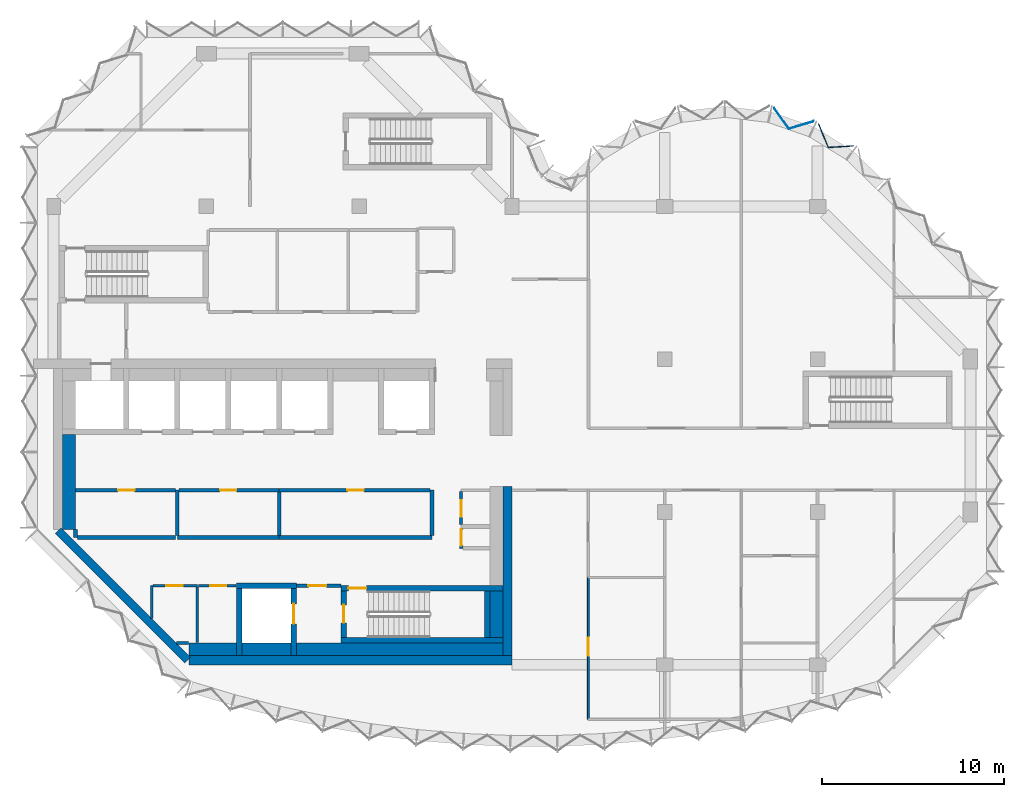
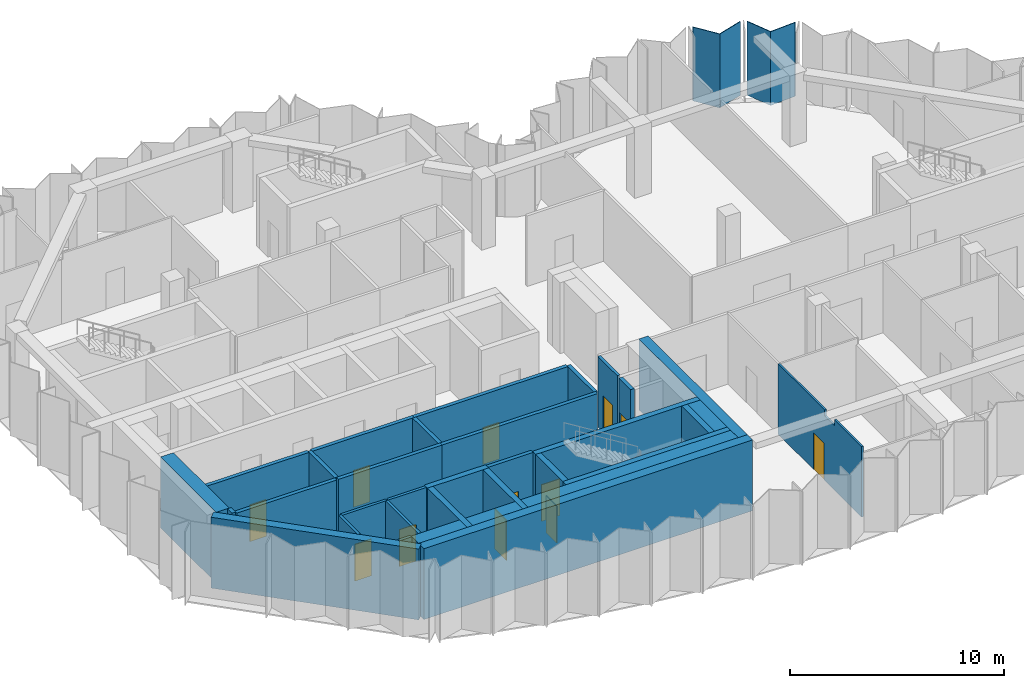
# One storey, part 4 of 10: 34 walls, 12 doors, 2 plates, 12 openings, 1 element without a shape of its own.
"""IFC4 building model written with IfcOpenShell, lengths in metres."""

from ifc_helpers import new_model, si_unit, direction, frame, frame_2d, origin, place, context, subcontext, project, spatial, polyline, rectangle, outline, extrude, material, layer, layer_set, type_object, element, fill, aggregate, save


model = new_model("IFC4")

# Units and contexts
model_context = context("Model", 3, precision=1e-05, world=origin(), true_north=direction((0.0, 1.0)))
body_context = subcontext(model_context, "Body", "Model", "MODEL_VIEW")
ifc_project = project(units=[si_unit("LENGTHUNIT", "METRE"), si_unit("AREAUNIT", "SQUARE_METRE"), si_unit("VOLUMEUNIT", "CUBIC_METRE"), si_unit("PLANEANGLEUNIT", "RADIAN"), si_unit("MASSUNIT", "GRAM", prefix="KILO")], contexts=[model_context])

# Site, building, storey
site_placement = place(None, origin())
site = spatial("IfcSite", under=ifc_project, at=site_placement, CompositionType="ELEMENT")
building_placement = place(site_placement, origin())
building = spatial("IfcBuilding", under=site, at=building_placement, Name="Brevane Broadcast Tower", CompositionType="ELEMENT")
storey_placement = place(building_placement, frame((0.0, 0.0, 251.699951171875)))
storey = spatial("IfcBuildingStorey", under=building, at=storey_placement, Name="L64", CompositionType="ELEMENT", Elevation=251.699951171875)

# Curtain wall, plates
ifc_material_1 = material(Name="Aluminium 6063-T6 bronze anodised", Category="aluminium")
curtain_wall_type = type_object("IfcCurtainWallType", Name="CW-5 curtain wall", PredefinedType="NOTDEFINED", material=ifc_material_1)
curtain_wall_placement = place(storey_placement, origin())
curtain_wall = element("IfcCurtainWall", 1, at=curtain_wall_placement, inside=storey, type_object=curtain_wall_type, Name="CW-5 crown glazing unit L64 east bow", PredefinedType="NOTDEFINED")
ifc_material_2 = material(Name="Laminated glass bronze-tinted", Category="glass")
ifc_layer_1 = layer(ifc_material_2, 0.0400390625)
ifc_layer_set_1 = layer_set([ifc_layer_1], Name="CW tall glass panel 40")
plate_type = type_object("IfcPlateType", Name="CW tall glass panel 40", PredefinedType="CURTAIN_PANEL", material=ifc_layer_set_1)
plate_1_placement = place(storey_placement, frame((0.0, 0.0, -0.169921875)))
plate_1 = element("IfcPlate", 2, at=plate_1_placement, type_object=plate_type, Name="CW-5 glass panel", PredefinedType="CURTAIN_PANEL", context=body_context, shape_type="SweptSolid", body=[
    extrude(outline(polyline([(43.95458984375, 28.506103515625), (43.987548828125, 28.548095703125), (42.601318359375, 28.462890625), (42.065673828125, 29.763916015625), (42.04248046875, 29.715087890625), (42.5751953125, 28.42138671875), (43.95458984375, 28.506103515625)])), origin(), (0.0, 0.0, 1.0), 4.219970703125),
])
plate_2_placement = place(storey_placement, frame((0.0, 0.0, -0.169921875)))
plate_2 = element("IfcPlate", 3, at=plate_2_placement, type_object=plate_type, Name="CW-5 glass panel", PredefinedType="CURTAIN_PANEL", context=body_context, shape_type="SweptSolid", body=[
    extrude(outline(polyline([(41.760009765625, 29.849853515625), (41.783203125, 29.8984375), (40.435546875, 29.494384765625), (39.6279296875, 30.624267578125), (39.615966796875, 30.572265625), (40.419677734375, 29.44775390625), (41.760009765625, 29.849853515625)])), origin(), (0.0, 0.0, 1.0), 4.219970703125),
])
aggregate(curtain_wall, [plate_1, plate_2])

# Walls
ifc_material_3 = material(Name="Concrete C32/40", Category="concrete")
ifc_layer_2 = layer(ifc_material_3, 0.699951171875)
ifc_layer_set_2 = layer_set([ifc_layer_2], Name="Core chase wall 700 mm")
wall_type_1 = type_object("IfcWallType", Name="Core chase wall 700 mm", PredefinedType="PARTITIONING", material=ifc_layer_set_2)
wall_1_placement = place(storey_placement, frame((0.85009765625, 7.436279296875, 0.0), z_axis=(0.0, 0.0, 1.0), x_axis=(0.0, 1.0, 0.0)))
element("IfcWall", 4, at=wall_1_placement, inside=storey, type_object=wall_type_1, Name="L64 chase wall LW-1", PredefinedType="PARTITIONING", context=body_context, shape_type="SweptSolid", body=[
    extrude(rectangle(XDim=5.213623046875, YDim=0.699951171875, at=frame_2d((2.60693359375, 0.0))), origin(), (0.0, 0.0, 1.0), 4.050048828125),
])
wall_2_placement = place(storey_placement, frame((7.436279296875, 0.85009765625, 0.0), z_axis=(0.0, 0.0, 1.0), x_axis=(1.0, 0.0, 0.0)))
element("IfcWall", 5, at=wall_2_placement, inside=storey, type_object=wall_type_1, Name="L64 chase wall LS-1", PredefinedType="PARTITIONING", context=body_context, shape_type="SweptSolid", body=[
    extrude(rectangle(XDim=2.61376953125, YDim=0.699951171875, at=frame_2d((1.306884765625, 0.0))), origin(), (0.0, 0.0, 1.0), 4.050048828125),
])
wall_3_placement = place(storey_placement, frame((10.35009765625, 0.85009765625, 0.0), z_axis=(0.0, 0.0, 1.0), x_axis=(1.0, 0.0, 0.0)))
element("IfcWall", 6, at=wall_3_placement, inside=storey, type_object=wall_type_1, Name="L64 chase wall LS-2-1", PredefinedType="PARTITIONING", context=body_context, shape_type="SweptSolid", body=[
    extrude(rectangle(XDim=2.699951171875, YDim=0.699951171875, at=frame_2d((1.35009765625, 0.0))), origin(), (0.0, 0.0, 1.0), 4.050048828125),
])
wall_4_placement = place(storey_placement, frame((13.35009765625, 0.85009765625, 0.0), z_axis=(0.0, 0.0, 1.0), x_axis=(1.0, 0.0, 0.0)))
element("IfcWall", 7, at=wall_4_placement, inside=storey, type_object=wall_type_1, Name="L64 chase wall LS-2-2", PredefinedType="PARTITIONING", context=body_context, shape_type="SweptSolid", body=[
    extrude(rectangle(XDim=11.349853515625, YDim=0.699951171875, at=frame_2d((5.6748046875, 0.0))), origin(), (0.0, 0.0, 1.0), 4.050048828125),
])
wall_5_placement = place(storey_placement, frame((24.35009765625, 1.5, 0.0), z_axis=(0.0, 0.0, 1.0), x_axis=(0.0, 1.0, 0.0)))
element("IfcWall", 8, at=wall_5_placement, inside=storey, type_object=wall_type_1, Name="L64 chase wall LE1-2-1", PredefinedType="PARTITIONING", context=body_context, shape_type="SweptSolid", body=[
    extrude(rectangle(XDim=2.550048828125, YDim=0.699951171875, at=frame_2d((1.27490234375, 0.0))), origin(), (0.0, 0.0, 1.0), 4.050048828125),
])
ifc_material_4 = material(Name="Gypsum board on steel studs", Category="steel")
ifc_layer_3 = layer(ifc_material_4, 0.14990234375)
ifc_layer_set_3 = layer_set([ifc_layer_3], Name="Core fire partition 150 mm")
wall_type_2 = type_object("IfcWallType", Name="Core fire partition 150 mm", PredefinedType="PARTITIONING", material=ifc_layer_set_3)
wall_6_placement = place(storey_placement, frame((5.39990234375, 2.553466796875, 0.0), z_axis=(0.0, 0.0, 1.0), x_axis=(0.0, 1.0, 0.0)))
element("IfcWall", 9, at=wall_6_placement, inside=storey, type_object=wall_type_2, Name="L64 partition wall P17", PredefinedType="PARTITIONING", context=body_context, shape_type="SweptSolid", body=[
    extrude(rectangle(XDim=1.796630859375, YDim=0.14990234375, at=frame_2d((0.8984375, 0.0))), origin(), (0.0, 0.0, 1.0), 4.050048828125),
])

# Wall, opening, door
wall_7_placement = place(storey_placement, frame((5.47509765625, 4.35009765625, 0.0), z_axis=(0.0, 0.0, 1.0), x_axis=(1.0, 0.0, 0.0)))
wall_7 = element("IfcWall", 10, at=wall_7_placement, inside=storey, type_object=wall_type_2, Name="L64 partition wall P18", PredefinedType="PARTITIONING", context=body_context, shape_type="SweptSolid", body=[
    extrude(rectangle(XDim=2.4248046875, YDim=0.14990234375, at=frame_2d((1.21240234375, 0.0))), origin(), (0.0, 0.0, 1.0), 4.050048828125),
])
opening_1_placement = place(wall_7_placement, frame((0.72509765625, 0.0, 0.0)))
opening_1 = element("IfcOpeningElement", 11, at=opening_1_placement, cuts=wall_7, Name="Opening L64-K14", PredefinedType="OPENING", context=body_context, shape_type="SweptSolid", body=[
    extrude(rectangle(XDim=0.89990234375, YDim=2.10009765625, at=frame_2d((0.449951171875, 1.050048828125))), frame((0.0, 0.0849609375, 0.0), z_axis=(0.0, -1.0, 0.0), x_axis=(1.0, 0.0, 0.0)), (0.0, 0.0, 1.0), 0.169921875),
])
ifc_material_5 = material(Name="Timber", Category="wood")
door_type_1 = type_object("IfcDoorType", Name="Toilet door 900 x 2100", OperationType="SINGLE_SWING_LEFT", PredefinedType="DOOR", material=ifc_material_5)
door_1_placement = place(opening_1_placement, origin())
door_1 = element("IfcDoor", 12, at=door_1_placement, inside=storey, type_object=door_type_1, Name="Door L64-K14", OperationType="SINGLE_SWING_RIGHT", OverallHeight=2.10009765625, OverallWidth=0.89990234375, PredefinedType="DOOR", context=body_context, shape_type="SweptSolid", body=[
    extrude(rectangle(XDim=0.89990234375, YDim=2.10009765625, at=frame_2d((0.449951171875, 1.050048828125))), frame((0.0, 0.02490234375, 0.0), z_axis=(0.0, -1.0, 0.0), x_axis=(1.0, 0.0, 0.0)), (0.0, 0.0, 1.0), 0.050048828125),
])
fill(opening_1, door_1)

# Walls
wall_8_placement = place(storey_placement, frame((7.89990234375, 4.27490234375, 0.0), z_axis=(0.0, 0.0, 1.0), x_axis=(0.0, -1.0, 0.0)))
element("IfcWall", 13, at=wall_8_placement, inside=storey, type_object=wall_type_2, Name="L64 partition wall P19", PredefinedType="PARTITIONING", context=body_context, shape_type="SweptSolid", body=[
    extrude(rectangle(XDim=3.06298828125, YDim=0.14990234375, at=frame_2d((1.531494140625, 0.0))), origin(), (0.0, 0.0, 1.0), 4.050048828125),
])
wall_9_placement = place(storey_placement, frame((7.42431640625, 1.199951171875, 0.0), z_axis=(0.0, 0.0, 1.0), x_axis=(-1.0, 0.0, 0.0)))
element("IfcWall", 14, at=wall_9_placement, inside=storey, type_object=wall_type_2, Name="L64 partition wall P20", PredefinedType="PARTITIONING", context=body_context, shape_type="SweptSolid", body=[
    extrude(rectangle(XDim=0.6708984375, YDim=0.14990234375, at=frame_2d((0.33544921875, 0.0))), origin(), (0.0, 0.0, 1.0), 4.050048828125),
])

# Wall, opening, door
wall_10_placement = place(storey_placement, frame((10.0380859375, 4.35009765625, 0.0), z_axis=(0.0, 0.0, 1.0), x_axis=(-1.0, 0.0, 0.0)))
wall_10 = element("IfcWall", 15, at=wall_10_placement, inside=storey, type_object=wall_type_2, Name="L64 partition wall P21", PredefinedType="PARTITIONING", context=body_context, shape_type="SweptSolid", body=[
    extrude(rectangle(XDim=2.06298828125, YDim=0.14990234375, at=frame_2d((1.031494140625, 0.0))), origin(), (0.0, 0.0, 1.0), 4.050048828125),
])
opening_2_placement = place(wall_10_placement, frame((0.5380859375, 0.0, 0.0)))
opening_2 = element("IfcOpeningElement", 16, at=opening_2_placement, cuts=wall_10, Name="Opening L64-K15", PredefinedType="OPENING", context=body_context, shape_type="SweptSolid", body=[
    extrude(rectangle(XDim=0.89990234375, YDim=2.10009765625, at=frame_2d((0.449951171875, 1.050048828125))), frame((0.0, 0.0849609375, 0.0), z_axis=(0.0, -1.0, 0.0), x_axis=(1.0, 0.0, 0.0)), (0.0, 0.0, 1.0), 0.169921875),
])
door_2_placement = place(opening_2_placement, origin())
door_2 = element("IfcDoor", 17, at=door_2_placement, inside=storey, type_object=door_type_1, Name="Door L64-K15", OperationType="SINGLE_SWING_LEFT", OverallHeight=2.10009765625, OverallWidth=0.89990234375, PredefinedType="DOOR", context=body_context, shape_type="SweptSolid", body=[
    extrude(rectangle(XDim=0.89990234375, YDim=2.10009765625, at=frame_2d((0.449951171875, 1.050048828125))), frame((0.0, 0.02490234375, 0.0), z_axis=(0.0, -1.0, 0.0), x_axis=(1.0, 0.0, 0.0)), (0.0, 0.0, 1.0), 0.050048828125),
])
fill(opening_2, door_2)

wall_11_placement = place(storey_placement, frame((22.39990234375, 9.52490234375, 0.0), z_axis=(0.0, 0.0, 1.0), x_axis=(0.0, -1.0, 0.0)))
wall_11 = element("IfcWall", 18, at=wall_11_placement, inside=storey, type_object=wall_type_2, Name="L64 partition wall P39", PredefinedType="PARTITIONING", context=body_context, shape_type="SweptSolid", body=[
    extrude(rectangle(XDim=1.824951171875, YDim=0.14990234375, at=frame_2d((0.91259765625, 0.0))), origin(), (0.0, 0.0, 1.0), 4.050048828125),
])
opening_3_placement = place(wall_11_placement, frame((0.47509765625, 0.0, 0.0)))
opening_3 = element("IfcOpeningElement", 19, at=opening_3_placement, cuts=wall_11, Name="Opening L64-K18", PredefinedType="OPENING", context=body_context, shape_type="SweptSolid", body=[
    extrude(rectangle(XDim=0.89990234375, YDim=2.10009765625, at=frame_2d((0.449951171875, 1.050048828125))), frame((0.0, 0.0849609375, 0.0), z_axis=(0.0, -1.0, 0.0), x_axis=(1.0, 0.0, 0.0)), (0.0, 0.0, 1.0), 0.169921875),
])
ifc_material_6 = material(Name="Steel", Category="steel")
door_type_2 = type_object("IfcDoorType", Name="Service room door 900 x 2100", OperationType="SINGLE_SWING_LEFT", PredefinedType="DOOR", material=ifc_material_6)
door_3_placement = place(opening_3_placement, origin())
door_3 = element("IfcDoor", 20, at=door_3_placement, inside=storey, type_object=door_type_2, Name="Door L64-K18", OperationType="SINGLE_SWING_RIGHT", OverallHeight=2.10009765625, OverallWidth=0.89990234375, PredefinedType="DOOR", context=body_context, shape_type="SweptSolid", body=[
    extrude(rectangle(XDim=0.89990234375, YDim=2.10009765625, at=frame_2d((0.449951171875, 1.050048828125))), frame((0.0, 0.02490234375, 0.0), z_axis=(0.0, -1.0, 0.0), x_axis=(1.0, 0.0, 0.0)), (0.0, 0.0, 1.0), 0.050048828125),
])
fill(opening_3, door_3)

ifc_layer_4 = layer(ifc_material_4, 0.199951171875)
ifc_layer_set_4 = layer_set([ifc_layer_4], Name="Core fire partition 200 mm")
wall_type_3 = type_object("IfcWallType", Name="Core fire partition 200 mm", PredefinedType="PARTITIONING", material=ifc_layer_set_4)
wall_12_placement = place(storey_placement, frame((13.362060546875, 4.35009765625, 0.0), z_axis=(0.0, 0.0, 1.0), x_axis=(1.0, 0.0, 0.0)))
wall_12 = element("IfcWall", 21, at=wall_12_placement, inside=storey, type_object=wall_type_3, Name="L64 partition wall P03", PredefinedType="PARTITIONING", context=body_context, shape_type="SweptSolid", body=[
    extrude(rectangle(XDim=2.426025390625, YDim=0.199951171875, at=frame_2d((1.212890625, 0.0))), origin(), (0.0, 0.0, 1.0), 4.050048828125),
])
opening_4_placement = place(wall_12_placement, frame((0.637939453125, 0.0, 0.0)))
opening_4 = element("IfcOpeningElement", 22, at=opening_4_placement, cuts=wall_12, Name="Opening L64-K16", PredefinedType="OPENING", context=body_context, shape_type="SweptSolid", body=[
    extrude(rectangle(XDim=1.0, YDim=2.10009765625, at=frame_2d((0.5, 1.050048828125))), frame((0.0, 0.10986328125, 0.0), z_axis=(0.0, -1.0, 0.0), x_axis=(1.0, 0.0, 0.0)), (0.0, 0.0, 1.0), 0.219970703125),
])
door_type_3 = type_object("IfcDoorType", Name="Stair door 1000 x 2100", OperationType="SINGLE_SWING_LEFT", PredefinedType="DOOR", material=ifc_material_6)
door_4_placement = place(opening_4_placement, origin())
door_4 = element("IfcDoor", 23, at=door_4_placement, inside=storey, type_object=door_type_3, Name="Door L64-K16", OperationType="SINGLE_SWING_RIGHT", OverallHeight=2.10009765625, OverallWidth=1.0, PredefinedType="DOOR", context=body_context, shape_type="SweptSolid", body=[
    extrude(rectangle(XDim=1.0, YDim=2.10009765625, at=frame_2d((0.5, 1.050048828125))), frame((0.0, 0.02490234375, 0.0), z_axis=(0.0, -1.0, 0.0), x_axis=(1.0, 0.0, 0.0)), (0.0, 0.0, 1.0), 0.050048828125),
])
fill(opening_4, door_4)

# Walls
wall_13_placement = place(storey_placement, frame((6.800048828125, 7.0, 0.0), z_axis=(0.0, 0.0, 1.0), x_axis=(1.0, 0.0, 0.0)))
element("IfcWall", 24, at=wall_13_placement, inside=storey, type_object=wall_type_3, Name="L64 partition wall P04", PredefinedType="PARTITIONING", context=body_context, shape_type="SweptSolid", body=[
    extrude(rectangle(XDim=5.599853515625, YDim=0.199951171875, at=frame_2d((2.7998046875, 0.0))), origin(), (0.0, 0.0, 1.0), 4.050048828125),
])
wall_14_placement = place(storey_placement, frame((6.800048828125, 9.60009765625, 0.0), z_axis=(0.0, 0.0, 1.0), x_axis=(0.0, -1.0, 0.0)))
element("IfcWall", 25, at=wall_14_placement, inside=storey, type_object=wall_type_3, Name="L64 partition wall P05", PredefinedType="PARTITIONING", context=body_context, shape_type="SweptSolid", body=[
    extrude(rectangle(XDim=2.5, YDim=0.199951171875, at=frame_2d((1.25, 0.0))), origin(), (0.0, 0.0, 1.0), 4.050048828125),
])

# Wall, opening, door
wall_15_placement = place(storey_placement, frame((6.699951171875, 9.60009765625, 0.0), z_axis=(0.0, 0.0, 1.0), x_axis=(-1.0, 0.0, 0.0)))
wall_15 = element("IfcWall", 26, at=wall_15_placement, inside=storey, type_object=wall_type_3, Name="L64 partition wall P06", PredefinedType="PARTITIONING", context=body_context, shape_type="SweptSolid", body=[
    extrude(rectangle(XDim=5.488037109375, YDim=0.199951171875, at=frame_2d((2.744140625, 0.0))), origin(), (0.0, 0.0, 1.0), 4.050048828125),
])
opening_5_placement = place(wall_15_placement, frame((2.25, 0.0, 0.0)))
opening_5 = element("IfcOpeningElement", 27, at=opening_5_placement, cuts=wall_15, Name="Opening L64-K19", PredefinedType="OPENING", context=body_context, shape_type="SweptSolid", body=[
    extrude(rectangle(XDim=0.89990234375, YDim=2.10009765625, at=frame_2d((0.449951171875, 1.050048828125))), frame((0.0, 0.10986328125, 0.0), z_axis=(0.0, -1.0, 0.0), x_axis=(1.0, 0.0, 0.0)), (0.0, 0.0, 1.0), 0.219970703125),
])
door_5_placement = place(opening_5_placement, origin())
door_5 = element("IfcDoor", 28, at=door_5_placement, inside=storey, type_object=door_type_2, Name="Door L64-K19", OperationType="SINGLE_SWING_LEFT", OverallHeight=2.10009765625, OverallWidth=0.89990234375, PredefinedType="DOOR", context=body_context, shape_type="SweptSolid", body=[
    extrude(rectangle(XDim=0.89990234375, YDim=2.10009765625, at=frame_2d((0.449951171875, 1.050048828125))), frame((0.0, 0.02490234375, 0.0), z_axis=(0.0, -1.0, 0.0), x_axis=(1.0, 0.0, 0.0)), (0.0, 0.0, 1.0), 0.050048828125),
])
fill(opening_5, door_5)

# Walls
wall_16_placement = place(storey_placement, frame((1.199951171875, 7.42431640625, 0.0), z_axis=(0.0, 0.0, 1.0), x_axis=(0.0, -1.0, 0.0)))
element("IfcWall", 29, at=wall_16_placement, inside=storey, type_object=wall_type_3, Name="L64 partition wall P07", PredefinedType="PARTITIONING", context=body_context, shape_type="SweptSolid", body=[
    extrude(rectangle(XDim=0.42431640625, YDim=0.199951171875, at=frame_2d((0.212158203125, 0.0))), origin(), (0.0, 0.0, 1.0), 4.050048828125),
])
wall_17_placement = place(storey_placement, frame((1.300048828125, 7.0, 0.0), z_axis=(0.0, 0.0, 1.0), x_axis=(1.0, 0.0, 0.0)))
element("IfcWall", 30, at=wall_17_placement, inside=storey, type_object=wall_type_3, Name="L64 partition wall P08", PredefinedType="PARTITIONING", context=body_context, shape_type="SweptSolid", body=[
    extrude(rectangle(XDim=5.39990234375, YDim=0.199951171875, at=frame_2d((2.699951171875, 0.0))), origin(), (0.0, 0.0, 1.0), 4.050048828125),
])

# Wall, opening, door
wall_18_placement = place(storey_placement, frame((12.39990234375, 9.60009765625, 0.0), z_axis=(0.0, 0.0, 1.0), x_axis=(-1.0, 0.0, 0.0)))
wall_18 = element("IfcWall", 31, at=wall_18_placement, inside=storey, type_object=wall_type_3, Name="L64 partition wall P09", PredefinedType="PARTITIONING", context=body_context, shape_type="SweptSolid", body=[
    extrude(rectangle(XDim=5.5, YDim=0.199951171875, at=frame_2d((2.75, 0.0))), origin(), (0.0, 0.0, 1.0), 4.050048828125),
])
opening_6_placement = place(wall_18_placement, frame((2.35009765625, 0.0, 0.0)))
opening_6 = element("IfcOpeningElement", 32, at=opening_6_placement, cuts=wall_18, Name="Opening L64-K20", PredefinedType="OPENING", context=body_context, shape_type="SweptSolid", body=[
    extrude(rectangle(XDim=0.89990234375, YDim=2.10009765625, at=frame_2d((0.449951171875, 1.050048828125))), frame((0.0, 0.10986328125, 0.0), z_axis=(0.0, -1.0, 0.0), x_axis=(1.0, 0.0, 0.0)), (0.0, 0.0, 1.0), 0.219970703125),
])
door_6_placement = place(opening_6_placement, origin())
door_6 = element("IfcDoor", 33, at=door_6_placement, inside=storey, type_object=door_type_2, Name="Door L64-K20", OperationType="SINGLE_SWING_RIGHT", OverallHeight=2.10009765625, OverallWidth=0.89990234375, PredefinedType="DOOR", context=body_context, shape_type="SweptSolid", body=[
    extrude(rectangle(XDim=0.89990234375, YDim=2.10009765625, at=frame_2d((0.449951171875, 1.050048828125))), frame((0.0, 0.02490234375, 0.0), z_axis=(0.0, -1.0, 0.0), x_axis=(1.0, 0.0, 0.0)), (0.0, 0.0, 1.0), 0.050048828125),
])
fill(opening_6, door_6)

# Walls
wall_19_placement = place(storey_placement, frame((12.39990234375, 7.0, 0.0), z_axis=(0.0, 0.0, 1.0), x_axis=(1.0, 0.0, 0.0)))
element("IfcWall", 34, at=wall_19_placement, inside=storey, type_object=wall_type_3, Name="L64 partition wall P10", PredefinedType="PARTITIONING", context=body_context, shape_type="SweptSolid", body=[
    extrude(rectangle(XDim=8.400146484375, YDim=0.199951171875, at=frame_2d((4.2001953125, 0.0))), origin(), (0.0, 0.0, 1.0), 4.050048828125),
])
wall_20_placement = place(storey_placement, frame((20.800048828125, 7.10009765625, 0.0), z_axis=(0.0, 0.0, 1.0), x_axis=(0.0, 1.0, 0.0)))
element("IfcWall", 35, at=wall_20_placement, inside=storey, type_object=wall_type_3, Name="L64 partition wall P11", PredefinedType="PARTITIONING", context=body_context, shape_type="SweptSolid", body=[
    extrude(rectangle(XDim=2.5, YDim=0.199951171875, at=frame_2d((1.25, 0.0))), origin(), (0.0, 0.0, 1.0), 4.050048828125),
])

# Wall, opening, door
wall_21_placement = place(storey_placement, frame((20.699951171875, 9.60009765625, 0.0), z_axis=(0.0, 0.0, 1.0), x_axis=(-1.0, 0.0, 0.0)))
wall_21 = element("IfcWall", 36, at=wall_21_placement, inside=storey, type_object=wall_type_3, Name="L64 partition wall P12", PredefinedType="PARTITIONING", context=body_context, shape_type="SweptSolid", body=[
    extrude(rectangle(XDim=8.300048828125, YDim=0.199951171875, at=frame_2d((4.14990234375, 0.0))), origin(), (0.0, 0.0, 1.0), 4.050048828125),
])
opening_7_placement = place(wall_21_placement, frame((3.64990234375, 0.0, 0.0)))
opening_7 = element("IfcOpeningElement", 37, at=opening_7_placement, cuts=wall_21, Name="Opening L64-K21", PredefinedType="OPENING", context=body_context, shape_type="SweptSolid", body=[
    extrude(rectangle(XDim=0.89990234375, YDim=2.10009765625, at=frame_2d((0.449951171875, 1.050048828125))), frame((0.0, 0.10986328125, 0.0), z_axis=(0.0, -1.0, 0.0), x_axis=(1.0, 0.0, 0.0)), (0.0, 0.0, 1.0), 0.219970703125),
])
door_7_placement = place(opening_7_placement, origin())
door_7 = element("IfcDoor", 38, at=door_7_placement, inside=storey, type_object=door_type_2, Name="Door L64-K21", OperationType="SINGLE_SWING_LEFT", OverallHeight=2.10009765625, OverallWidth=0.89990234375, PredefinedType="DOOR", context=body_context, shape_type="SweptSolid", body=[
    extrude(rectangle(XDim=0.89990234375, YDim=2.10009765625, at=frame_2d((0.449951171875, 1.050048828125))), frame((0.0, 0.02490234375, 0.0), z_axis=(0.0, -1.0, 0.0), x_axis=(1.0, 0.0, 0.0)), (0.0, 0.0, 1.0), 0.050048828125),
])
fill(opening_7, door_7)

# Wall
wall_22_placement = place(storey_placement, frame((12.39990234375, 9.5, 0.0), z_axis=(0.0, 0.0, 1.0), x_axis=(0.0, -1.0, 0.0)))
element("IfcWall", 39, at=wall_22_placement, inside=storey, type_object=wall_type_3, Name="L64 partition wall P13", PredefinedType="PARTITIONING", context=body_context, shape_type="SweptSolid", body=[
    extrude(rectangle(XDim=2.39990234375, YDim=0.199951171875, at=frame_2d((1.199951171875, 0.0))), origin(), (0.0, 0.0, 1.0), 4.050048828125),
])

# Wall, opening, door
wall_23_placement = place(storey_placement, frame((22.39990234375, 7.5, 0.0), z_axis=(0.0, 0.0, 1.0), x_axis=(0.0, -1.0, 0.0)))
wall_23 = element("IfcWall", 40, at=wall_23_placement, inside=storey, type_object=wall_type_3, Name="L64 partition wall P15", PredefinedType="PARTITIONING", context=body_context, shape_type="SweptSolid", body=[
    extrude(rectangle(XDim=1.10009765625, YDim=0.199951171875, at=frame_2d((0.550048828125, 0.0))), origin(), (0.0, 0.0, 1.0), 4.050048828125),
])
opening_8_placement = place(wall_23_placement, frame((0.050048828125, 0.0, 0.0)))
opening_8 = element("IfcOpeningElement", 41, at=opening_8_placement, cuts=wall_23, Name="Opening L64-K17", PredefinedType="OPENING", context=body_context, shape_type="SweptSolid", body=[
    extrude(rectangle(XDim=0.89990234375, YDim=2.10009765625, at=frame_2d((0.449951171875, 1.050048828125))), frame((0.0, 0.10986328125, 0.0), z_axis=(0.0, -1.0, 0.0), x_axis=(1.0, 0.0, 0.0)), (0.0, 0.0, 1.0), 0.219970703125),
])
door_8_placement = place(opening_8_placement, origin())
door_8 = element("IfcDoor", 42, at=door_8_placement, inside=storey, type_object=door_type_2, Name="Door L64-K17", OperationType="SINGLE_SWING_LEFT", OverallHeight=2.10009765625, OverallWidth=0.89990234375, PredefinedType="DOOR", context=body_context, shape_type="SweptSolid", body=[
    extrude(rectangle(XDim=0.89990234375, YDim=2.10009765625, at=frame_2d((0.449951171875, 1.050048828125))), frame((0.0, 0.02490234375, 0.0), z_axis=(0.0, -1.0, 0.0), x_axis=(1.0, 0.0, 0.0)), (0.0, 0.0, 1.0), 0.050048828125),
])
fill(opening_8, door_8)

# Wall
ifc_material_7 = material(Name="Concrete C50/60", Category="concrete")
ifc_layer_5 = layer(ifc_material_7, 0.300048828125)
ifc_layer_set_5 = layer_set([ifc_layer_5], Name="Core wall 300 mm C50/60")
wall_type_4 = type_object("IfcWallType", Name="Core wall 300 mm C50/60", PredefinedType="SHEAR", material=ifc_layer_set_5)
wall_24_placement = place(storey_placement, frame((10.199951171875, 0.5, 0.0), z_axis=(0.0, 0.0, 1.0), x_axis=(0.0, 1.0, 0.0)))
element("IfcWall", 43, at=wall_24_placement, inside=storey, type_object=wall_type_4, Name="L64 shaft wall FF2-W", PredefinedType="SHEAR", context=body_context, shape_type="SweptSolid", body=[
    extrude(rectangle(XDim=3.699951171875, YDim=0.300048828125, at=frame_2d((1.85009765625, 0.0))), origin(), (0.0, 0.0, 1.0), 4.050048828125),
])

# Wall, opening, door
wall_25_placement = place(storey_placement, frame((13.199951171875, 0.5, 0.0), z_axis=(0.0, 0.0, 1.0), x_axis=(0.0, 1.0, 0.0)))
wall_25 = element("IfcWall", 44, at=wall_25_placement, inside=storey, type_object=wall_type_4, Name="L64 shaft wall FF2-E", PredefinedType="SHEAR", context=body_context, shape_type="SweptSolid", body=[
    extrude(rectangle(XDim=3.699951171875, YDim=0.300048828125, at=frame_2d((1.85009765625, 0.0))), origin(), (0.0, 0.0, 1.0), 4.050048828125),
])
opening_9_placement = place(wall_25_placement, frame((1.75, 0.0, 0.0)))
opening_9 = element("IfcOpeningElement", 45, at=opening_9_placement, cuts=wall_25, Name="Opening LD", PredefinedType="OPENING", context=body_context, shape_type="SweptSolid", body=[
    extrude(rectangle(XDim=1.10009765625, YDim=2.300048828125, at=frame_2d((0.550048828125, 1.14990234375))), frame((0.0, 0.159912109375, 0.0), z_axis=(0.0, -1.0, 0.0), x_axis=(1.0, 0.0, 0.0)), (0.0, 0.0, 1.0), 0.320068359375),
])
ifc_material_8 = material(Name="Stainless steel", Category="steel")
door_type_4 = type_object("IfcDoorType", Name="Lift landing door", OperationType="SLIDING_TO_LEFT", PredefinedType="DOOR", material=ifc_material_8)
door_9_placement = place(opening_9_placement, origin())
door_9 = element("IfcDoor", 46, at=door_9_placement, inside=storey, type_object=door_type_4, Name="Landing door FF2 L64", OperationType="SLIDING_TO_LEFT", OverallHeight=2.300048828125, OverallWidth=1.10009765625, PredefinedType="DOOR", context=body_context, shape_type="SweptSolid", body=[
    extrude(rectangle(XDim=1.10009765625, YDim=2.300048828125, at=frame_2d((0.550048828125, 1.14990234375))), frame((0.0, 0.02490234375, 0.0), z_axis=(0.0, -1.0, 0.0), x_axis=(1.0, 0.0, 0.0)), (0.0, 0.0, 1.0), 0.050048828125),
])
fill(opening_9, door_9)

# Walls
wall_26_placement = place(storey_placement, frame((10.050048828125, 4.35009765625, 0.0), z_axis=(0.0, 0.0, 1.0), x_axis=(1.0, 0.0, 0.0)))
element("IfcWall", 47, at=wall_26_placement, inside=storey, type_object=wall_type_4, Name="L64 shaft wall FF2-N", PredefinedType="SHEAR", context=body_context, shape_type="SweptSolid", body=[
    extrude(rectangle(XDim=3.300048828125, YDim=0.300048828125, at=frame_2d((1.64990234375, 0.0))), origin(), (0.0, 0.0, 1.0), 4.050048828125),
])
wall_27_placement = place(storey_placement, frame((15.800048828125, 1.35009765625, 0.0), z_axis=(0.0, 0.0, 1.0), x_axis=(1.0, 0.0, 0.0)))
element("IfcWall", 48, at=wall_27_placement, inside=storey, type_object=wall_type_4, Name="L64 stair wall ST-2-S", PredefinedType="SHEAR", context=body_context, shape_type="SweptSolid", body=[
    extrude(rectangle(XDim=8.89990234375, YDim=0.300048828125, at=frame_2d((4.449951171875, 0.0))), origin(), (0.0, 0.0, 1.0), 4.050048828125),
])

# Wall, opening, door
wall_28_placement = place(storey_placement, frame((15.800048828125, 4.199951171875, 0.0), z_axis=(0.0, 0.0, 1.0), x_axis=(1.0, 0.0, 0.0)))
wall_28 = element("IfcWall", 49, at=wall_28_placement, inside=storey, type_object=wall_type_4, Name="L64 stair wall ST-2-N", PredefinedType="SHEAR", context=body_context, shape_type="SweptSolid", body=[
    extrude(rectangle(XDim=8.89990234375, YDim=0.300048828125, at=frame_2d((4.449951171875, 0.0))), origin(), (0.0, 0.0, 1.0), 4.050048828125),
])
opening_10_placement = place(wall_28_placement, frame((0.39990234375, 0.0, 0.0)))
opening_10 = element("IfcOpeningElement", 50, at=opening_10_placement, cuts=wall_28, Name="Opening L64-K11", PredefinedType="OPENING", context=body_context, shape_type="SweptSolid", body=[
    extrude(rectangle(XDim=1.0, YDim=2.10009765625, at=frame_2d((0.5, 1.050048828125))), frame((0.0, 0.159912109375, 0.0), z_axis=(0.0, -1.0, 0.0), x_axis=(1.0, 0.0, 0.0)), (0.0, 0.0, 1.0), 0.320068359375),
])
door_10_placement = place(opening_10_placement, origin())
door_10 = element("IfcDoor", 51, at=door_10_placement, inside=storey, type_object=door_type_3, Name="Door L64-K11", OperationType="SINGLE_SWING_LEFT", OverallHeight=2.10009765625, OverallWidth=1.0, PredefinedType="DOOR", context=body_context, shape_type="SweptSolid", body=[
    extrude(rectangle(XDim=1.0, YDim=2.10009765625, at=frame_2d((0.5, 1.050048828125))), frame((0.0, 0.02490234375, 0.0), z_axis=(0.0, -1.0, 0.0), x_axis=(1.0, 0.0, 0.0)), (0.0, 0.0, 1.0), 0.050048828125),
])
fill(opening_10, door_10)

wall_29_placement = place(storey_placement, frame((15.949951171875, 1.5, 0.0), z_axis=(0.0, 0.0, 1.0), x_axis=(0.0, 1.0, 0.0)))
wall_29 = element("IfcWall", 52, at=wall_29_placement, inside=storey, type_object=wall_type_4, Name="L64 stair wall ST-2-W", PredefinedType="SHEAR", context=body_context, shape_type="SweptSolid", body=[
    extrude(rectangle(XDim=2.550048828125, YDim=0.300048828125, at=frame_2d((1.27490234375, 0.0))), origin(), (0.0, 0.0, 1.0), 4.050048828125),
])
opening_11_placement = place(wall_29_placement, frame((0.800048828125, 0.0, 0.0)))
opening_11 = element("IfcOpeningElement", 53, at=opening_11_placement, cuts=wall_29, Name="Opening L64-K10", PredefinedType="OPENING", context=body_context, shape_type="SweptSolid", body=[
    extrude(rectangle(XDim=1.0, YDim=2.10009765625, at=frame_2d((0.5, 1.050048828125))), frame((0.0, 0.159912109375, 0.0), z_axis=(0.0, -1.0, 0.0), x_axis=(1.0, 0.0, 0.0)), (0.0, 0.0, 1.0), 0.320068359375),
])
door_11_placement = place(opening_11_placement, origin())
door_11 = element("IfcDoor", 54, at=door_11_placement, inside=storey, type_object=door_type_3, Name="Door L64-K10", OperationType="SINGLE_SWING_RIGHT", OverallHeight=2.10009765625, OverallWidth=1.0, PredefinedType="DOOR", context=body_context, shape_type="SweptSolid", body=[
    extrude(rectangle(XDim=1.0, YDim=2.10009765625, at=frame_2d((0.5, 1.050048828125))), frame((0.0, 0.02490234375, 0.0), z_axis=(0.0, -1.0, 0.0), x_axis=(1.0, 0.0, 0.0)), (0.0, 0.0, 1.0), 0.050048828125),
])
fill(opening_11, door_11)

# Walls
wall_30_placement = place(storey_placement, frame((23.85009765625, 1.5, 0.0), z_axis=(0.0, 0.0, 1.0), x_axis=(0.0, 1.0, 0.0)))
element("IfcWall", 55, at=wall_30_placement, inside=storey, type_object=wall_type_4, Name="L64 stair wall ST-2-E", PredefinedType="SHEAR", context=body_context, shape_type="SweptSolid", body=[
    extrude(rectangle(XDim=2.550048828125, YDim=0.300048828125, at=frame_2d((1.27490234375, 0.0))), origin(), (0.0, 0.0, 1.0), 4.050048828125),
])
ifc_layer_6 = layer(ifc_material_7, 0.449951171875)
ifc_layer_set_6 = layer_set([ifc_layer_6], Name="Core wall 450 mm C50/60")
wall_type_5 = type_object("IfcWallType", Name="Core wall 450 mm C50/60", PredefinedType="SHEAR", material=ifc_layer_set_6)
wall_31_placement = place(storey_placement, frame((0.25, 7.3681640625, 0.0), z_axis=(0.0, 0.0, 1.0), x_axis=(0.707106781187, -0.707106781187, 0.0)))
element("IfcWall", 56, at=wall_31_placement, inside=storey, type_object=wall_type_5, Name="L64 outer wall WC", PredefinedType="SHEAR", context=body_context, shape_type="SweptSolid", body=[
    extrude(rectangle(XDim=10.066650390625, YDim=0.449951171875, at=frame_2d((5.033203125, 0.0))), origin(), (0.0, 0.0, 1.0), 4.050048828125),
])
ifc_layer_7 = layer(ifc_material_7, 0.5)
ifc_layer_set_7 = layer_set([ifc_layer_7], Name="Core wall 500 mm C50/60")
wall_type_6 = type_object("IfcWallType", Name="Core wall 500 mm C50/60", PredefinedType="SHEAR", material=ifc_layer_set_7)
wall_32_placement = place(storey_placement, frame((7.436279296875, 0.25, 0.0), z_axis=(0.0, 0.0, 1.0), x_axis=(1.0, 0.0, 0.0)))
element("IfcWall", 57, at=wall_32_placement, inside=storey, type_object=wall_type_6, Name="L64 outer wall WS", PredefinedType="SHEAR", context=body_context, shape_type="SweptSolid", body=[
    extrude(rectangle(XDim=17.763671875, YDim=0.5, at=frame_2d((8.8818359375, 0.0))), origin(), (0.0, 0.0, 1.0), 4.050048828125),
])
wall_33_placement = place(storey_placement, frame((24.949951171875, 0.5, 0.0), z_axis=(0.0, 0.0, 1.0), x_axis=(0.0, 1.0, 0.0)))
element("IfcWall", 58, at=wall_33_placement, inside=storey, type_object=wall_type_6, Name="L64 outer wall WE1", PredefinedType="SHEAR", context=body_context, shape_type="SweptSolid", body=[
    extrude(rectangle(XDim=9.300048828125, YDim=0.5, at=frame_2d((4.64990234375, 0.0))), origin(), (0.0, 0.0, 1.0), 4.050048828125),
])

# Wall, opening, door
ifc_material_9 = material(Name="Gypsum board partition")
ifc_layer_8 = layer(ifc_material_9, 0.10009765625)
ifc_layer_set_8 = layer_set([ifc_layer_8], Name="PARTITION 100 STUD")
wall_type_7 = type_object("IfcWallType", Name="PARTITION 100 STUD", PredefinedType="PARTITIONING", material=ifc_layer_set_8)
wall_34_placement = place(storey_placement, frame((29.39990234375, 4.800048828125, 0.0), z_axis=(0.0, 0.0, 1.0), x_axis=(0.0, -1.0, 0.0)))
wall_34 = element("IfcWall", 59, at=wall_34_placement, inside=storey, type_object=wall_type_7, Name="Partition S3-014", PredefinedType="PARTITIONING", context=body_context, shape_type="SweptSolid", body=[
    extrude(outline(polyline([(0.0, 0.0), (7.800048828125, 0.0), (7.800048828125, 4.030029296875), (5.25, 4.030029296875), (5.248046875, 3.679931640625), (4.35205078125, 3.679931640625), (4.35009765625, 4.030029296875), (0.0, 4.030029296875), (0.0, 0.0)])), frame((0.0, 0.050048828125, 0.0), z_axis=(0.0, -1.0, 0.0), x_axis=(1.0, 0.0, 0.0)), (0.0, 0.0, 1.0), 0.10009765625),
])
opening_12_placement = place(wall_34_placement, frame((3.300048828125, 0.0, 0.0)))
opening_12 = element("IfcOpeningElement", 60, at=opening_12_placement, cuts=wall_34, Name="Opening D31-003", PredefinedType="OPENING", context=body_context, shape_type="SweptSolid", body=[
    extrude(rectangle(XDim=1.0, YDim=2.10009765625, at=frame_2d((0.5, 1.050048828125))), frame((0.0, 0.06005859375, 0.0), z_axis=(0.0, -1.0, 0.0), x_axis=(1.0, 0.0, 0.0)), (0.0, 0.0, 1.0), 0.1201171875),
])
ifc_material_10 = material(Name="Timber door leaf", Category="wood")
door_type_5 = type_object("IfcDoorType", Name="DOOR SINGLE 1000 INTERNAL", OperationType="SINGLE_SWING_LEFT", PredefinedType="DOOR", material=ifc_material_10)
door_12_placement = place(opening_12_placement, origin())
door_12 = element("IfcDoor", 61, at=door_12_placement, inside=storey, type_object=door_type_5, Name="Door D31-003", OperationType="SINGLE_SWING_LEFT", OverallHeight=2.10009765625, OverallWidth=1.0, PredefinedType="DOOR", context=body_context, shape_type="SweptSolid", body=[
    extrude(rectangle(XDim=1.0, YDim=2.10009765625, at=frame_2d((0.5, 1.050048828125))), frame((0.0, 0.02490234375, 0.0), z_axis=(0.0, -1.0, 0.0), x_axis=(1.0, 0.0, 0.0)), (0.0, 0.0, 1.0), 0.050048828125),
])
fill(opening_12, door_12)

save(model, "model.ifc")
